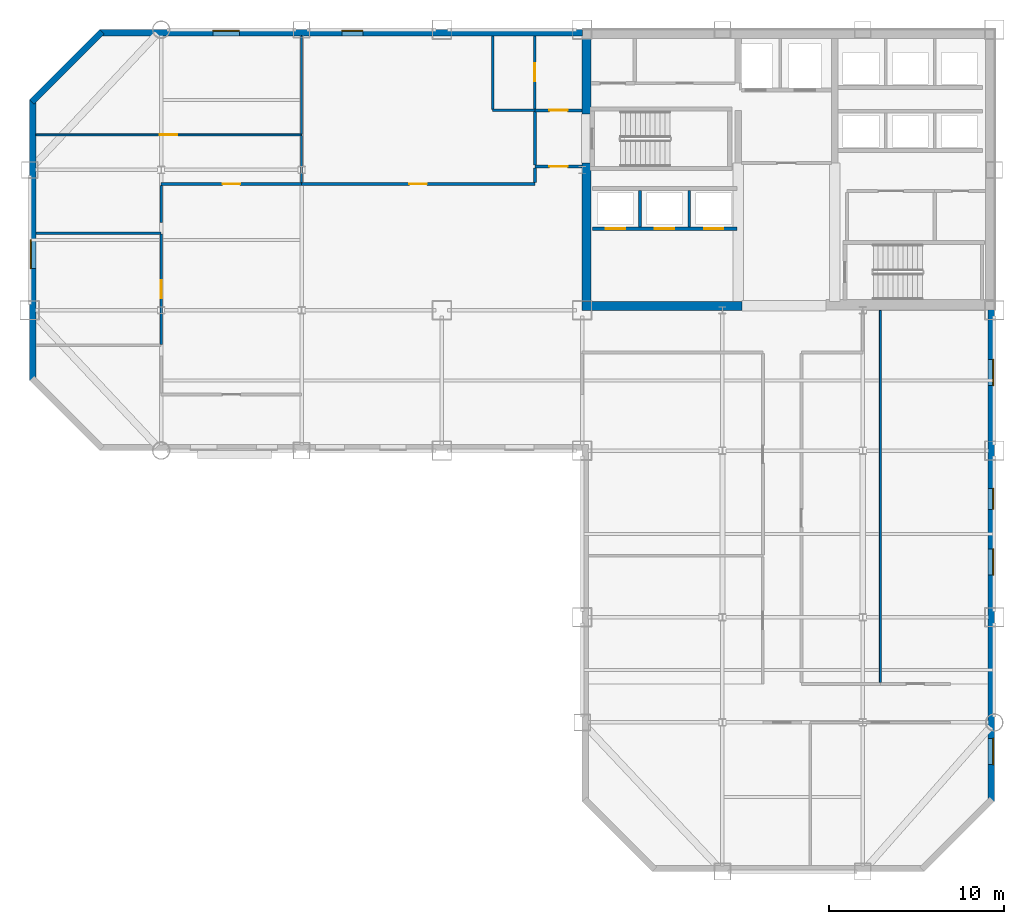
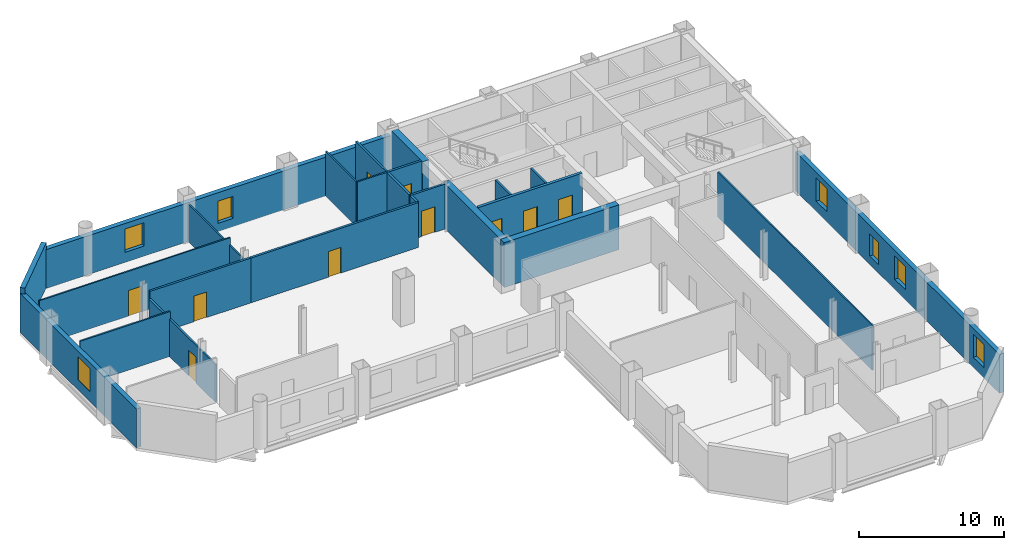
# One storey, part 6 of 9: 26 walls, 10 doors, 7 windows, 17 openings.
"""IFC4 building model written with IfcOpenShell, lengths in metres."""

from ifc_helpers import new_model, si_unit, direction, frame, frame_2d, origin, place, context, subcontext, project, spatial, rectangle, extrude, material, layer, layer_set, type_object, element, fill, save


model = new_model("IFC4")

# Units and contexts
model_context = context("Model", 3, precision=1e-05, world=origin(), true_north=direction((0.0, 1.0)))
body_context = subcontext(model_context, "Body", "Model", "MODEL_VIEW")
ifc_project = project(units=[si_unit("LENGTHUNIT", "METRE"), si_unit("AREAUNIT", "SQUARE_METRE"), si_unit("VOLUMEUNIT", "CUBIC_METRE"), si_unit("PLANEANGLEUNIT", "RADIAN"), si_unit("MASSUNIT", "GRAM", prefix="KILO")], contexts=[model_context])

# Site, building, storey
site_placement = place(None, origin())
site = spatial("IfcSite", under=ifc_project, at=site_placement, CompositionType="ELEMENT")
building_placement = place(site_placement, origin())
building = spatial("IfcBuilding", under=site, at=building_placement, Name="Qianrong Seaharbour Tower", CompositionType="ELEMENT")
storey_placement = place(building_placement, frame((0.0, 0.0, 163.0)))
storey = spatial("IfcBuildingStorey", under=building, at=storey_placement, Name="L39", CompositionType="ELEMENT", Elevation=163.0)

# Walls
ifc_material_1 = material(Name="Concrete C60/75", Category="concrete")
ifc_layer_1 = layer(ifc_material_1, 0.5)
ifc_layer_set_1 = layer_set([ifc_layer_1], Name="Concrete C60/75")
wall_type_1 = type_object("IfcWallType", Name="WALL-CORE-500", PredefinedType="SHEAR", material=ifc_layer_set_1)
wall_1_placement = place(storey_placement, frame((40.75, 36.5, 0.0), z_axis=(0.0, 0.0, 1.0), x_axis=(0.0, 1.0, 0.0)))
element("IfcWall", 1, at=wall_1_placement, inside=storey, type_object=wall_type_1, Name="L39 West Core Shear Wall South", PredefinedType="SHEAR", context=body_context, shape_type="SweptSolid", body=[
    extrude(rectangle(XDim=7.89990234375, YDim=0.5, at=frame_2d((3.949951171875, 0.0))), origin(), (0.0, 0.0, 1.0), 3.764892578125),
])
wall_2_placement = place(storey_placement, frame((40.75, 47.199951171875, 0.0), z_axis=(0.0, 0.0, 1.0), x_axis=(0.0, 1.0, 0.0)))
element("IfcWall", 2, at=wall_2_placement, inside=storey, type_object=wall_type_1, Name="L39 West Core Shear Wall North", PredefinedType="SHEAR", context=body_context, shape_type="SweptSolid", body=[
    extrude(rectangle(XDim=4.300048828125, YDim=0.5, at=frame_2d((2.14990234375, 0.0))), origin(), (0.0, 0.0, 1.0), 3.764892578125),
])
wall_3_placement = place(storey_placement, frame((40.5, 36.25, 0.0), z_axis=(0.0, 0.0, 1.0), x_axis=(1.0, 0.0, 0.0)))
element("IfcWall", 3, at=wall_3_placement, inside=storey, type_object=wall_type_1, Name="L39 South Core Shear Wall S1", PredefinedType="SHEAR", context=body_context, shape_type="SweptSolid", body=[
    extrude(rectangle(XDim=9.10009765625, YDim=0.5, at=frame_2d((4.550048828125, 0.0))), origin(), (0.0, 0.0, 1.0), 3.764892578125),
])

# Wall, opening, door
ifc_material_2 = material(Name="Fire-rated acoustic gypsum board partition")
ifc_layer_2 = layer(ifc_material_2, 0.1650390625)
ifc_layer_set_2 = layer_set([ifc_layer_2], Name="Fire-rated acoustic gypsum board partition")
wall_type_2 = type_object("IfcWallType", Name="WALL-CORR-PART-165", PredefinedType="PARTITIONING", material=ifc_layer_set_2)
wall_4_placement = place(storey_placement, frame((37.800048828125, 47.39990234375, 0.0), z_axis=(0.0, 0.0, 1.0), x_axis=(1.0, 0.0, 0.0)))
wall_4 = element("IfcWall", 4, at=wall_4_placement, inside=storey, type_object=wall_type_2, Name="L39 Interior Partition Wall 001", PredefinedType="PARTITIONING", context=body_context, shape_type="SweptSolid", body=[
    extrude(rectangle(XDim=2.699951171875, YDim=0.1650390625, at=frame_2d((1.35009765625, 0.0))), origin(), (0.0, 0.0, 1.0), 3.764892578125),
])
opening_1_placement = place(wall_4_placement, frame((0.824951171875, 0.0, 0.0)))
opening_1 = element("IfcOpeningElement", 5, at=opening_1_placement, cuts=wall_4, Name="Opening DC-01", PredefinedType="OPENING", context=body_context, shape_type="SweptSolid", body=[
    extrude(rectangle(XDim=1.050048828125, YDim=2.14990234375, at=frame_2d((0.52490234375, 1.074951171875))), frame((0.0, 0.092529296875, 0.0), z_axis=(0.0, -1.0, 0.0), x_axis=(1.0, 0.0, 0.0)), (0.0, 0.0, 1.0), 0.18505859375),
])
ifc_material_3 = material(Name="Acoustic timber and galvanized steel fire door assembly", Category="steel")
door_type_1 = type_object("IfcDoorType", Name="DOOR-CORR-FD60-1050x2150", OperationType="NOTDEFINED", PredefinedType="DOOR", material=ifc_material_3)
door_1_placement = place(opening_1_placement, origin())
door_1 = element("IfcDoor", 6, at=door_1_placement, inside=storey, type_object=door_type_1, Name="L39 Smokeproof Stair Vestibule ST-1 Door", OperationType="SINGLE_SWING_LEFT", OverallHeight=2.14990234375, OverallWidth=1.050048828125, PredefinedType="DOOR", context=body_context, shape_type="SweptSolid", body=[
    extrude(rectangle(XDim=1.050048828125, YDim=2.14990234375, at=frame_2d((0.52490234375, 1.074951171875))), frame((0.0, 0.02490234375, 0.0), z_axis=(0.0, -1.0, 0.0), x_axis=(1.0, 0.0, 0.0)), (0.0, 0.0, 1.0), 0.050048828125),
])
fill(opening_1, door_1)

wall_5_placement = place(storey_placement, frame((40.5, 44.199951171875, 0.0), z_axis=(0.0, 0.0, 1.0), x_axis=(-1.0, 0.0, 0.0)))
wall_5 = element("IfcWall", 7, at=wall_5_placement, inside=storey, type_object=wall_type_2, Name="L39 Interior Partition Wall 002", PredefinedType="PARTITIONING", context=body_context, shape_type="SweptSolid", body=[
    extrude(rectangle(XDim=2.699951171875, YDim=0.1650390625, at=frame_2d((1.35009765625, 0.0))), origin(), (0.0, 0.0, 1.0), 3.764892578125),
])
opening_2_placement = place(wall_5_placement, frame((0.824951171875, 0.0, 0.0)))
opening_2 = element("IfcOpeningElement", 8, at=opening_2_placement, cuts=wall_5, Name="Opening DC-01", PredefinedType="OPENING", context=body_context, shape_type="SweptSolid", body=[
    extrude(rectangle(XDim=1.050048828125, YDim=2.14990234375, at=frame_2d((0.52490234375, 1.074951171875))), frame((0.0, 0.092529296875, 0.0), z_axis=(0.0, -1.0, 0.0), x_axis=(1.0, 0.0, 0.0)), (0.0, 0.0, 1.0), 0.18505859375),
])
door_2_placement = place(opening_2_placement, origin())
door_2 = element("IfcDoor", 9, at=door_2_placement, inside=storey, type_object=door_type_1, Name="L39 Smokeproof Stair Vestibule ST-1 Door", OperationType="SINGLE_SWING_RIGHT", OverallHeight=2.14990234375, OverallWidth=1.050048828125, PredefinedType="DOOR", context=body_context, shape_type="SweptSolid", body=[
    extrude(rectangle(XDim=1.050048828125, YDim=2.14990234375, at=frame_2d((0.52490234375, 1.074951171875))), frame((0.0, 0.02490234375, 0.0), z_axis=(0.0, -1.0, 0.0), x_axis=(1.0, 0.0, 0.0)), (0.0, 0.0, 1.0), 0.050048828125),
])
fill(opening_2, door_2)

# Wall
wall_6_placement = place(storey_placement, frame((37.800048828125, 44.2744140625, 0.0), z_axis=(0.0, 0.0, 1.0), x_axis=(0.0, 1.0, 0.0)))
element("IfcWall", 10, at=wall_6_placement, inside=storey, type_object=wall_type_2, Name="L39 Interior Partition Wall 003", PredefinedType="PARTITIONING", context=body_context, shape_type="SweptSolid", body=[
    extrude(rectangle(XDim=3.051025390625, YDim=0.1650390625, at=frame_2d((1.525390625, 0.0))), origin(), (0.0, 0.0, 1.0), 3.764892578125),
])

# Wall, opening, door
wall_7_placement = place(storey_placement, frame((24.5, 43.199951171875, 0.0), z_axis=(0.0, 0.0, 1.0), x_axis=(1.0, 0.0, 0.0)))
wall_7 = element("IfcWall", 11, at=wall_7_placement, inside=storey, type_object=wall_type_2, Name="L39 Interior Partition Wall 017", PredefinedType="PARTITIONING", context=body_context, shape_type="SweptSolid", body=[
    extrude(rectangle(XDim=13.300048828125, YDim=0.1650390625, at=frame_2d((6.64990234375, 0.0))), origin(), (0.0, 0.0, 1.0), 3.764892578125),
])
opening_3_placement = place(wall_7_placement, frame((6.14990234375, 0.0, 0.0)))
opening_3 = element("IfcOpeningElement", 12, at=opening_3_placement, cuts=wall_7, Name="Opening DO-01", PredefinedType="OPENING", context=body_context, shape_type="SweptSolid", body=[
    extrude(rectangle(XDim=1.0, YDim=2.14990234375, at=frame_2d((0.5, 1.074951171875))), frame((0.0, 0.092529296875, 0.0), z_axis=(0.0, -1.0, 0.0), x_axis=(1.0, 0.0, 0.0)), (0.0, 0.0, 1.0), 0.18505859375),
])
door_type_2 = type_object("IfcDoorType", Name="DOOR-OFFICE-1000x2150", OperationType="NOTDEFINED", PredefinedType="DOOR", material=ifc_material_3)
door_3_placement = place(opening_3_placement, origin())
door_3 = element("IfcDoor", 13, at=door_3_placement, inside=storey, type_object=door_type_2, Name="L39 Central Spine Open-Plan Office Door", OperationType="SINGLE_SWING_LEFT", OverallHeight=2.14990234375, OverallWidth=1.0, PredefinedType="DOOR", context=body_context, shape_type="SweptSolid", body=[
    extrude(rectangle(XDim=1.0, YDim=2.14990234375, at=frame_2d((0.5, 1.074951171875))), frame((0.0, 0.02490234375, 0.0), z_axis=(0.0, -1.0, 0.0), x_axis=(1.0, 0.0, 0.0)), (0.0, 0.0, 1.0), 0.050048828125),
])
fill(opening_3, door_3)

# Wall
wall_8_placement = place(storey_placement, frame((16.5, 41.0, 0.0), z_axis=(0.0, 0.0, 1.0), x_axis=(0.0, 1.0, 0.0)))
element("IfcWall", 14, at=wall_8_placement, inside=storey, type_object=wall_type_2, Name="L39 Interior Partition Wall 018", PredefinedType="PARTITIONING", context=body_context, shape_type="SweptSolid", body=[
    extrude(rectangle(XDim=2.12548828125, YDim=0.1650390625, at=frame_2d((1.062744140625, 0.0))), origin(), (0.0, 0.0, 1.0), 3.156982421875),
])

# Wall, opening, door
wall_9_placement = place(storey_placement, frame((16.5, 43.199951171875, 0.0), z_axis=(0.0, 0.0, 1.0), x_axis=(1.0, 0.0, 0.0)))
wall_9 = element("IfcWall", 15, at=wall_9_placement, inside=storey, type_object=wall_type_2, Name="L39 Interior Partition Wall 019", PredefinedType="PARTITIONING", context=body_context, shape_type="SweptSolid", body=[
    extrude(rectangle(XDim=8.0, YDim=0.1650390625, at=frame_2d((4.0, 0.0))), origin(), (0.0, 0.0, 1.0), 3.764892578125),
])
opening_4_placement = place(wall_9_placement, frame((3.5, 0.0, 0.0)))
opening_4 = element("IfcOpeningElement", 16, at=opening_4_placement, cuts=wall_9, Name="Opening DO-01", PredefinedType="OPENING", context=body_context, shape_type="SweptSolid", body=[
    extrude(rectangle(XDim=1.0, YDim=2.14990234375, at=frame_2d((0.5, 1.074951171875))), frame((0.0, 0.092529296875, 0.0), z_axis=(0.0, -1.0, 0.0), x_axis=(1.0, 0.0, 0.0)), (0.0, 0.0, 1.0), 0.18505859375),
])
door_4_placement = place(opening_4_placement, origin())
door_4 = element("IfcDoor", 17, at=door_4_placement, inside=storey, type_object=door_type_2, Name="L39 Hospitality Dining Room 3 Door", OperationType="SINGLE_SWING_RIGHT", OverallHeight=2.14990234375, OverallWidth=1.0, PredefinedType="DOOR", context=body_context, shape_type="SweptSolid", body=[
    extrude(rectangle(XDim=1.0, YDim=2.14990234375, at=frame_2d((0.5, 1.074951171875))), frame((0.0, 0.02490234375, 0.0), z_axis=(0.0, -1.0, 0.0), x_axis=(1.0, 0.0, 0.0)), (0.0, 0.0, 1.0), 0.050048828125),
])
fill(opening_4, door_4)

# Walls
wall_10_placement = place(storey_placement, frame((37.800048828125, 43.2744140625, 0.0), z_axis=(0.0, 0.0, 1.0), x_axis=(0.0, 1.0, 0.0)))
element("IfcWall", 18, at=wall_10_placement, inside=storey, type_object=wall_type_2, Name="L39 Interior Partition Wall 021", PredefinedType="PARTITIONING", context=body_context, shape_type="SweptSolid", body=[
    extrude(rectangle(XDim=0.85107421875, YDim=0.1650390625, at=frame_2d((0.425537109375, 0.0))), origin(), (0.0, 0.0, 1.0), 3.764892578125),
])
ifc_material_4 = material(Name="Demountable aluminium-framed acoustic office partition", Category="aluminium")
ifc_layer_3 = layer(ifc_material_4, 0.110107421875)
ifc_layer_set_3 = layer_set([ifc_layer_3], Name="Demountable aluminium-framed acoustic office partition")
wall_type_3 = type_object("IfcWallType", Name="WALL-DEMOUNT-110", PredefinedType="MOVABLE", material=ifc_layer_set_3)
wall_11_placement = place(storey_placement, frame((24.5, 43.2744140625, 0.0), z_axis=(0.0, 0.0, 1.0), x_axis=(0.0, 1.0, 0.0)))
element("IfcWall", 19, at=wall_11_placement, inside=storey, type_object=wall_type_3, Name="L39 Interior Partition Wall 033", PredefinedType="MOVABLE", context=body_context, shape_type="SweptSolid", body=[
    extrude(rectangle(XDim=2.678466796875, YDim=0.110107421875, at=frame_2d((1.33935546875, 0.0))), origin(), (0.0, 0.0, 1.0), 3.156982421875),
])
wall_12_placement = place(storey_placement, frame((24.5, 46.047119140625, 0.0), z_axis=(0.0, 0.0, 1.0), x_axis=(0.0, 1.0, 0.0)))
element("IfcWall", 20, at=wall_12_placement, inside=storey, type_object=wall_type_3, Name="L39 Interior Partition Wall 034", PredefinedType="MOVABLE", context=body_context, shape_type="SweptSolid", body=[
    extrude(rectangle(XDim=5.600830078125, YDim=0.110107421875, at=frame_2d((2.80029296875, 0.0))), origin(), (0.0, 0.0, 1.0), 3.156982421875),
])

# Wall, opening, door
wall_13_placement = place(storey_placement, frame((9.35205078125, 46.0, 0.0), z_axis=(0.0, 0.0, 1.0), x_axis=(1.0, 0.0, 0.0)))
wall_13 = element("IfcWall", 21, at=wall_13_placement, inside=storey, type_object=wall_type_3, Name="L39 Interior Partition Wall 037", PredefinedType="MOVABLE", context=body_context, shape_type="SweptSolid", body=[
    extrude(rectangle(XDim=15.14794921875, YDim=0.110107421875, at=frame_2d((7.573974609375, 0.0))), origin(), (0.0, 0.0, 1.0), 3.764892578125),
])
opening_5_placement = place(wall_13_placement, frame((7.073974609375, 0.0, 0.0)))
opening_5 = element("IfcOpeningElement", 22, at=opening_5_placement, cuts=wall_13, Name="Opening DO-01", PredefinedType="OPENING", context=body_context, shape_type="SweptSolid", body=[
    extrude(rectangle(XDim=1.0, YDim=2.14990234375, at=frame_2d((0.5, 1.074951171875))), frame((0.0, 0.06494140625, 0.0), z_axis=(0.0, -1.0, 0.0), x_axis=(1.0, 0.0, 0.0)), (0.0, 0.0, 1.0), 0.130126953125),
])
door_5_placement = place(opening_5_placement, origin())
door_5 = element("IfcDoor", 23, at=door_5_placement, inside=storey, type_object=door_type_2, Name="L39 Quiet Sitting Lounge 4 Door", OperationType="SINGLE_SWING_LEFT", OverallHeight=2.14990234375, OverallWidth=1.0, PredefinedType="DOOR", context=body_context, shape_type="SweptSolid", body=[
    extrude(rectangle(XDim=1.0, YDim=2.14990234375, at=frame_2d((0.5, 1.074951171875))), frame((0.0, 0.02490234375, 0.0), z_axis=(0.0, -1.0, 0.0), x_axis=(1.0, 0.0, 0.0)), (0.0, 0.0, 1.0), 0.050048828125),
])
fill(opening_5, door_5)

# Wall
wall_14_placement = place(storey_placement, frame((57.5, 36.0, 0.0), z_axis=(0.0, 0.0, 1.0), x_axis=(0.0, -1.0, 0.0)))
element("IfcWall", 24, at=wall_14_placement, inside=storey, type_object=wall_type_3, Name="L39 Interior Partition Wall 038", PredefinedType="MOVABLE", context=body_context, shape_type="SweptSolid", body=[
    extrude(rectangle(XDim=21.2255859375, YDim=0.110107421875, at=frame_2d((10.61279296875, 0.0))), origin(), (0.0, 0.0, 1.0), 3.764892578125),
])

# Wall, opening, window
ifc_material_5 = material(Name="Unitised red brick on Precast concrete C45/55", Category="masonry")
ifc_layer_4 = layer(ifc_material_5, 0.360107421875)
ifc_layer_set_4 = layer_set([ifc_layer_4], Name="Unitised red brick on Precast concrete C45/55")
wall_type_4 = type_object("IfcWallType", Name="WALL-EXT-BRICK-RED-360", PredefinedType="SOLIDWALL", material=ifc_layer_set_4)
wall_15_placement = place(storey_placement, frame((9.179931640625, 32.0, 0.0), z_axis=(0.0, 0.0, 1.0), x_axis=(0.0, 1.0, 0.0)))
wall_15 = element("IfcWall", 25, at=wall_15_placement, inside=storey, type_object=wall_type_4, Name="L39 Exterior Masonry Facade Wall WEST_TIP", PredefinedType="SOLIDWALL", context=body_context, shape_type="SweptSolid", body=[
    extrude(rectangle(XDim=16.0, YDim=0.360107421875, at=frame_2d((8.0, 0.0))), origin(), (0.0, 0.0, 1.0), 3.264892578125),
])
opening_6_placement = place(wall_15_placement, frame((6.375, 0.0, 0.85009765625)))
opening_6 = element("IfcOpeningElement", 26, at=opening_6_placement, cuts=wall_15, Name="Opening WN-04", PredefinedType="OPENING", context=body_context, shape_type="SweptSolid", body=[
    extrude(rectangle(XDim=1.64990234375, YDim=1.949951171875, at=frame_2d((0.824951171875, 0.97509765625))), frame((0.0, 0.18994140625, 0.0), z_axis=(0.0, -1.0, 0.0), x_axis=(1.0, 0.0, 0.0)), (0.0, 0.0, 1.0), 0.380126953125),
])
ifc_material_6 = material(Name="Insulated low-e double glazing in thermally broken aluminium 6063-T6 frame", Category="aluminium")
window_type_1 = type_object("IfcWindowType", Name="WIN-PUNCH-1650x1950", PartitioningType="DOUBLE_PANEL_VERTICAL", PredefinedType="WINDOW", material=ifc_material_6)
window_1_placement = place(opening_6_placement, origin())
window_1 = element("IfcWindow", 27, at=window_1_placement, inside=storey, type_object=window_type_1, Name="L39 Deep-Set Punched Window 03.02", OverallHeight=1.949951171875, OverallWidth=1.64990234375, PartitioningType="DOUBLE_PANEL_VERTICAL", PredefinedType="WINDOW", context=body_context, shape_type="SweptSolid", body=[
    extrude(rectangle(XDim=1.64990234375, YDim=1.949951171875, at=frame_2d((0.824951171875, 0.97509765625))), frame((0.0, 0.150146484375, 0.0), z_axis=(0.0, -1.0, 0.0), x_axis=(1.0, 0.0, 0.0)), (0.0, 0.0, 1.0), 0.06005859375),
])
fill(opening_6, window_1)

# Wall
wall_16_placement = place(storey_placement, frame((9.127197265625, 47.872802734375, 0.0), z_axis=(0.0, 0.0, 1.0), x_axis=(0.707106781187, 0.707106781187, 0.0)))
element("IfcWall", 28, at=wall_16_placement, inside=storey, type_object=wall_type_4, Name="L39 Exterior Masonry Facade Wall E04", PredefinedType="SOLIDWALL", context=body_context, shape_type="SweptSolid", body=[
    extrude(rectangle(XDim=5.65673828125, YDim=0.360107421875, at=frame_2d((2.828369140625, 0.0))), origin(), (0.0, 0.0, 1.0), 3.764892578125),
])

# Wall, openings, windows
wall_17_placement = place(storey_placement, frame((13.0, 51.820068359375, 0.0), z_axis=(0.0, 0.0, 1.0), x_axis=(1.0, 0.0, 0.0)))
wall_17 = element("IfcWall", 29, at=wall_17_placement, inside=storey, type_object=wall_type_4, Name="L39 Exterior Masonry Facade Wall NORTH_WING", PredefinedType="SOLIDWALL", context=body_context, shape_type="SweptSolid", body=[
    extrude(rectangle(XDim=27.52001953125, YDim=0.360107421875, at=frame_2d((13.760009765625, 0.0))), origin(), (0.0, 0.0, 1.0), 3.264892578125),
])
opening_7_placement = place(wall_17_placement, frame((6.449951171875, 0.0, 0.85009765625)))
opening_7 = element("IfcOpeningElement", 30, at=opening_7_placement, cuts=wall_17, Name="Opening WN-03", PredefinedType="OPENING", context=body_context, shape_type="SweptSolid", body=[
    extrude(rectangle(XDim=1.5, YDim=1.949951171875, at=frame_2d((0.75, 0.97509765625))), frame((0.0, 0.18994140625, 0.0), z_axis=(0.0, -1.0, 0.0), x_axis=(1.0, 0.0, 0.0)), (0.0, 0.0, 1.0), 0.380126953125),
])
opening_8_placement = place(wall_17_placement, frame((13.800048828125, 0.0, 0.699951171875)))
opening_8 = element("IfcOpeningElement", 31, at=opening_8_placement, cuts=wall_17, Name="Opening WN-01", PredefinedType="OPENING", context=body_context, shape_type="SweptSolid", body=[
    extrude(rectangle(XDim=1.199951171875, YDim=1.85009765625, at=frame_2d((0.60009765625, 0.925048828125))), frame((0.0, 0.18994140625, 0.0), z_axis=(0.0, -1.0, 0.0), x_axis=(1.0, 0.0, 0.0)), (0.0, 0.0, 1.0), 0.380126953125),
])
window_type_2 = type_object("IfcWindowType", Name="WIN-PUNCH-1200x1850", PartitioningType="DOUBLE_PANEL_VERTICAL", PredefinedType="WINDOW", material=ifc_material_6)
window_2_placement = place(opening_8_placement, origin())
window_2 = element("IfcWindow", 32, at=window_2_placement, inside=storey, type_object=window_type_2, Name="L39 Deep-Set Punched Window 05.04", OverallHeight=1.85009765625, OverallWidth=1.199951171875, PartitioningType="DOUBLE_PANEL_VERTICAL", PredefinedType="WINDOW", context=body_context, shape_type="SweptSolid", body=[
    extrude(rectangle(XDim=1.199951171875, YDim=1.85009765625, at=frame_2d((0.60009765625, 0.925048828125))), frame((0.0, 0.150146484375, 0.0), z_axis=(0.0, -1.0, 0.0), x_axis=(1.0, 0.0, 0.0)), (0.0, 0.0, 1.0), 0.06005859375),
])
fill(opening_8, window_2)
window_type_3 = type_object("IfcWindowType", Name="WIN-PUNCH-1500x1950", PartitioningType="DOUBLE_PANEL_VERTICAL", PredefinedType="WINDOW", material=ifc_material_6)
window_3_placement = place(opening_7_placement, origin())
window_3 = element("IfcWindow", 33, at=window_3_placement, inside=storey, type_object=window_type_3, Name="L39 Deep-Set Punched Window 05.02", OverallHeight=1.949951171875, OverallWidth=1.5, PartitioningType="DOUBLE_PANEL_VERTICAL", PredefinedType="WINDOW", context=body_context, shape_type="SweptSolid", body=[
    extrude(rectangle(XDim=1.5, YDim=1.949951171875, at=frame_2d((0.75, 0.97509765625))), frame((0.0, 0.150146484375, 0.0), z_axis=(0.0, -1.0, 0.0), x_axis=(1.0, 0.0, 0.0)), (0.0, 0.0, 1.0), 0.06005859375),
])
fill(opening_7, window_3)

wall_18_placement = place(storey_placement, frame((63.820068359375, 36.050048828125, 0.0), z_axis=(0.0, 0.0, 1.0), x_axis=(0.0, -1.0, 0.0)))
wall_18 = element("IfcWall", 34, at=wall_18_placement, inside=storey, type_object=wall_type_4, Name="L39 Exterior Masonry Facade Wall EAST_WING", PredefinedType="SOLIDWALL", context=body_context, shape_type="SweptSolid", body=[
    extrude(rectangle(XDim=28.050048828125, YDim=0.360107421875, at=frame_2d((14.02490234375, 0.0))), origin(), (0.0, 0.0, 1.0), 3.264892578125),
])
opening_9_placement = place(wall_18_placement, frame((2.85009765625, 0.0, 0.85009765625)))
opening_9 = element("IfcOpeningElement", 35, at=opening_9_placement, cuts=wall_18, Name="Opening WN-03", PredefinedType="OPENING", context=body_context, shape_type="SweptSolid", body=[
    extrude(rectangle(XDim=1.5, YDim=1.949951171875, at=frame_2d((0.75, 0.97509765625))), frame((0.0, 0.18994140625, 0.0), z_axis=(0.0, -1.0, 0.0), x_axis=(1.0, 0.0, 0.0)), (0.0, 0.0, 1.0), 0.380126953125),
])
opening_10_placement = place(wall_18_placement, frame((10.199951171875, 0.0, 0.699951171875)))
opening_10 = element("IfcOpeningElement", 36, at=opening_10_placement, cuts=wall_18, Name="Opening WN-01", PredefinedType="OPENING", context=body_context, shape_type="SweptSolid", body=[
    extrude(rectangle(XDim=1.199951171875, YDim=1.85009765625, at=frame_2d((0.60009765625, 0.925048828125))), frame((0.0, 0.18994140625, 0.0), z_axis=(0.0, -1.0, 0.0), x_axis=(1.0, 0.0, 0.0)), (0.0, 0.0, 1.0), 0.380126953125),
])
opening_11_placement = place(wall_18_placement, frame((13.64990234375, 0.0, 0.85009765625)))
opening_11 = element("IfcOpeningElement", 37, at=opening_11_placement, cuts=wall_18, Name="Opening WN-03", PredefinedType="OPENING", context=body_context, shape_type="SweptSolid", body=[
    extrude(rectangle(XDim=1.5, YDim=1.949951171875, at=frame_2d((0.75, 0.97509765625))), frame((0.0, 0.18994140625, 0.0), z_axis=(0.0, -1.0, 0.0), x_axis=(1.0, 0.0, 0.0)), (0.0, 0.0, 1.0), 0.380126953125),
])
opening_12_placement = place(wall_18_placement, frame((24.449951171875, 0.0, 0.85009765625)))
opening_12 = element("IfcOpeningElement", 38, at=opening_12_placement, cuts=wall_18, Name="Opening WN-03", PredefinedType="OPENING", context=body_context, shape_type="SweptSolid", body=[
    extrude(rectangle(XDim=1.5, YDim=1.949951171875, at=frame_2d((0.75, 0.97509765625))), frame((0.0, 0.18994140625, 0.0), z_axis=(0.0, -1.0, 0.0), x_axis=(1.0, 0.0, 0.0)), (0.0, 0.0, 1.0), 0.380126953125),
])
window_4_placement = place(opening_10_placement, origin())
window_4 = element("IfcWindow", 39, at=window_4_placement, inside=storey, type_object=window_type_2, Name="L39 Deep-Set Punched Window 06.03", OverallHeight=1.85009765625, OverallWidth=1.199951171875, PartitioningType="DOUBLE_PANEL_VERTICAL", PredefinedType="WINDOW", context=body_context, shape_type="SweptSolid", body=[
    extrude(rectangle(XDim=1.199951171875, YDim=1.85009765625, at=frame_2d((0.60009765625, 0.925048828125))), frame((0.0, 0.150146484375, 0.0), z_axis=(0.0, -1.0, 0.0), x_axis=(1.0, 0.0, 0.0)), (0.0, 0.0, 1.0), 0.06005859375),
])
fill(opening_10, window_4)
window_5_placement = place(opening_9_placement, origin())
window_5 = element("IfcWindow", 40, at=window_5_placement, inside=storey, type_object=window_type_3, Name="L39 Deep-Set Punched Window 06.01", OverallHeight=1.949951171875, OverallWidth=1.5, PartitioningType="DOUBLE_PANEL_VERTICAL", PredefinedType="WINDOW", context=body_context, shape_type="SweptSolid", body=[
    extrude(rectangle(XDim=1.5, YDim=1.949951171875, at=frame_2d((0.75, 0.97509765625))), frame((0.0, 0.150146484375, 0.0), z_axis=(0.0, -1.0, 0.0), x_axis=(1.0, 0.0, 0.0)), (0.0, 0.0, 1.0), 0.06005859375),
])
fill(opening_9, window_5)
window_6_placement = place(opening_11_placement, origin())
window_6 = element("IfcWindow", 41, at=window_6_placement, inside=storey, type_object=window_type_3, Name="L39 Deep-Set Punched Window 06.04", OverallHeight=1.949951171875, OverallWidth=1.5, PartitioningType="DOUBLE_PANEL_VERTICAL", PredefinedType="WINDOW", context=body_context, shape_type="SweptSolid", body=[
    extrude(rectangle(XDim=1.5, YDim=1.949951171875, at=frame_2d((0.75, 0.97509765625))), frame((0.0, 0.150146484375, 0.0), z_axis=(0.0, -1.0, 0.0), x_axis=(1.0, 0.0, 0.0)), (0.0, 0.0, 1.0), 0.06005859375),
])
fill(opening_11, window_6)
window_7_placement = place(opening_12_placement, origin())
window_7 = element("IfcWindow", 42, at=window_7_placement, inside=storey, type_object=window_type_3, Name="L39 Deep-Set Punched Window 06.07", OverallHeight=1.949951171875, OverallWidth=1.5, PartitioningType="DOUBLE_PANEL_VERTICAL", PredefinedType="WINDOW", context=body_context, shape_type="SweptSolid", body=[
    extrude(rectangle(XDim=1.5, YDim=1.949951171875, at=frame_2d((0.75, 0.97509765625))), frame((0.0, 0.150146484375, 0.0), z_axis=(0.0, -1.0, 0.0), x_axis=(1.0, 0.0, 0.0)), (0.0, 0.0, 1.0), 0.06005859375),
])
fill(opening_12, window_7)

# Walls
ifc_material_7 = material(Name="Fire-rated gypsum board on steel studs", Category="steel")
ifc_layer_5 = layer(ifc_material_7, 0.14990234375)
ifc_layer_set_5 = layer_set([ifc_layer_5], Name="Fire-rated gypsum board on steel studs")
wall_type_5 = type_object("IfcWallType", Name="WALL-SHAFT-DIV-150", PredefinedType="PARTITIONING", material=ifc_layer_set_5)
for number, where, z_axis, x_axis, name in (
    (43, (43.800048828125, 40.760009765625, 0.0), (0.0, 0.0, 1.0), (0.0, 1.0, 0.0), "L39 P2 Lift Hoistway Divider 2"),
    (44, (46.60009765625, 40.760009765625, 0.0), (0.0, 0.0, 1.0), (0.0, 1.0, 0.0), "L39 P2 Lift Hoistway Divider 3"),
):
    element("IfcWall", number, at=place(storey_placement, frame(where, z_axis=z_axis, x_axis=x_axis)), inside=storey, type_object=wall_type_5, Name=name, PredefinedType="PARTITIONING", context=body_context, shape_type="SweptSolid", body=[
        extrude(rectangle(XDim=2.080078125, YDim=0.14990234375, at=frame_2d((1.0400390625, 0.0))), origin(), (0.0, 0.0, 1.0), 3.764892578125),
    ])

# Wall, openings, doors
ifc_layer_6 = layer(ifc_material_7, 0.219970703125)
ifc_layer_set_6 = layer_set([ifc_layer_6], Name="Fire-rated gypsum board on steel studs")
wall_type_6 = type_object("IfcWallType", Name="WALL-SHAFT-GYP220", PredefinedType="PARTITIONING", material=ifc_layer_set_6)
wall_19_placement = place(storey_placement, frame((49.320068359375, 40.64990234375, 0.0), z_axis=(0.0, 0.0, 1.0), x_axis=(-1.0, 0.0, 0.0)))
wall_19 = element("IfcWall", 45, at=wall_19_placement, inside=storey, type_object=wall_type_6, Name="L39 P2 Lift Hoistway Front Wall", PredefinedType="PARTITIONING", context=body_context, shape_type="SweptSolid", body=[
    extrude(rectangle(XDim=8.239990234375, YDim=0.219970703125, at=frame_2d((4.1201171875, 0.0))), origin(), (0.0, 0.0, 1.0), 3.764892578125),
])
opening_13_placement = place(wall_19_placement, frame((6.3701171875, 0.0, 0.0)))
opening_13 = element("IfcOpeningElement", 46, at=opening_13_placement, cuts=wall_19, Name="Opening LD-02", PredefinedType="OPENING", context=body_context, shape_type="SweptSolid", body=[
    extrude(rectangle(XDim=1.10009765625, YDim=2.199951171875, at=frame_2d((0.550048828125, 1.10009765625))), frame((0.0, 0.1201171875, 0.0), z_axis=(0.0, -1.0, 0.0), x_axis=(1.0, 0.0, 0.0)), (0.0, 0.0, 1.0), 0.239990234375),
])
opening_14_placement = place(wall_19_placement, frame((3.570068359375, 0.0, 0.0)))
opening_14 = element("IfcOpeningElement", 47, at=opening_14_placement, cuts=wall_19, Name="Opening LD-02", PredefinedType="OPENING", context=body_context, shape_type="SweptSolid", body=[
    extrude(rectangle(XDim=1.10009765625, YDim=2.199951171875, at=frame_2d((0.550048828125, 1.10009765625))), frame((0.0, 0.1201171875, 0.0), z_axis=(0.0, -1.0, 0.0), x_axis=(1.0, 0.0, 0.0)), (0.0, 0.0, 1.0), 0.239990234375),
])
opening_15_placement = place(wall_19_placement, frame((0.77001953125, 0.0, 0.0)))
opening_15 = element("IfcOpeningElement", 48, at=opening_15_placement, cuts=wall_19, Name="Opening LD-02", PredefinedType="OPENING", context=body_context, shape_type="SweptSolid", body=[
    extrude(rectangle(XDim=1.10009765625, YDim=2.199951171875, at=frame_2d((0.550048828125, 1.10009765625))), frame((0.0, 0.1201171875, 0.0), z_axis=(0.0, -1.0, 0.0), x_axis=(1.0, 0.0, 0.0)), (0.0, 0.0, 1.0), 0.239990234375),
])
ifc_material_8 = material(Name="Stainless steel SUS316L bi-parting lift landing door", Category="steel")
door_type_3 = type_object("IfcDoorType", Name="DOOR-LIFT-PASS-1100x2200", OperationType="DOUBLE_DOOR_SLIDING", PredefinedType="DOOR", material=ifc_material_8)
door_6_placement = place(opening_13_placement, origin())
door_6 = element("IfcDoor", 49, at=door_6_placement, inside=storey, type_object=door_type_3, Name="L39 PL-2A Lift Landing Door", OperationType="DOUBLE_DOOR_SLIDING", OverallHeight=2.199951171875, OverallWidth=1.10009765625, PredefinedType="DOOR", context=body_context, shape_type="SweptSolid", body=[
    extrude(rectangle(XDim=1.10009765625, YDim=2.199951171875, at=frame_2d((0.550048828125, 1.10009765625))), frame((0.0, 0.02490234375, 0.0), z_axis=(0.0, -1.0, 0.0), x_axis=(1.0, 0.0, 0.0)), (0.0, 0.0, 1.0), 0.050048828125),
])
fill(opening_13, door_6)
door_7_placement = place(opening_14_placement, origin())
door_7 = element("IfcDoor", 50, at=door_7_placement, inside=storey, type_object=door_type_3, Name="L39 PL-2B Lift Landing Door", OperationType="DOUBLE_DOOR_SLIDING", OverallHeight=2.199951171875, OverallWidth=1.10009765625, PredefinedType="DOOR", context=body_context, shape_type="SweptSolid", body=[
    extrude(rectangle(XDim=1.10009765625, YDim=2.199951171875, at=frame_2d((0.550048828125, 1.10009765625))), frame((0.0, 0.02490234375, 0.0), z_axis=(0.0, -1.0, 0.0), x_axis=(1.0, 0.0, 0.0)), (0.0, 0.0, 1.0), 0.050048828125),
])
fill(opening_14, door_7)
door_8_placement = place(opening_15_placement, origin())
door_8 = element("IfcDoor", 51, at=door_8_placement, inside=storey, type_object=door_type_3, Name="L39 PL-2C Lift Landing Door", OperationType="DOUBLE_DOOR_SLIDING", OverallHeight=2.199951171875, OverallWidth=1.10009765625, PredefinedType="DOOR", context=body_context, shape_type="SweptSolid", body=[
    extrude(rectangle(XDim=1.10009765625, YDim=2.199951171875, at=frame_2d((0.550048828125, 1.10009765625))), frame((0.0, 0.02490234375, 0.0), z_axis=(0.0, -1.0, 0.0), x_axis=(1.0, 0.0, 0.0)), (0.0, 0.0, 1.0), 0.050048828125),
])
fill(opening_15, door_8)

# Wall, opening, door
ifc_material_9 = material(Name="Water-resistant cement board sanitary partition")
ifc_layer_7 = layer(ifc_material_9, 0.1298828125)
ifc_layer_set_7 = layer_set([ifc_layer_7], Name="Water-resistant cement board sanitary partition")
wall_type_7 = type_object("IfcWallType", Name="WALL-WET-PART-130", PredefinedType="PARTITIONING", material=ifc_layer_set_7)
wall_20_placement = place(storey_placement, frame((37.800048828125, 47.474609375, 0.0), z_axis=(0.0, 0.0, 1.0), x_axis=(0.0, 1.0, 0.0)))
wall_20 = element("IfcWall", 52, at=wall_20_placement, inside=storey, type_object=wall_type_7, Name="L39 Interior Partition Wall 004", PredefinedType="PARTITIONING", context=body_context, shape_type="SweptSolid", body=[
    extrude(rectangle(XDim=4.17333984375, YDim=0.1298828125, at=frame_2d((2.086669921875, 0.0))), origin(), (0.0, 0.0, 1.0), 3.764892578125),
])
opening_16_placement = place(wall_20_placement, frame((1.57666015625, 0.0, 0.0)))
opening_16 = element("IfcOpeningElement", 53, at=opening_16_placement, cuts=wall_20, Name="Opening DAW-01", PredefinedType="OPENING", context=body_context, shape_type="SweptSolid", body=[
    extrude(rectangle(XDim=1.02001953125, YDim=2.14990234375, at=frame_2d((0.510009765625, 1.074951171875))), frame((0.0, 0.074951171875, 0.0), z_axis=(0.0, -1.0, 0.0), x_axis=(1.0, 0.0, 0.0)), (0.0, 0.0, 1.0), 0.14990234375),
])
door_type_4 = type_object("IfcDoorType", Name="DOOR-AWC-SLIDE-1020x2150", OperationType="SLIDING_TO_LEFT", PredefinedType="DOOR", material=ifc_material_3)
door_9_placement = place(opening_16_placement, origin())
door_9 = element("IfcDoor", 54, at=door_9_placement, inside=storey, type_object=door_type_4, Name="L39 Accessible Restroom WC Door", OperationType="SLIDING_TO_LEFT", OverallHeight=2.14990234375, OverallWidth=1.02001953125, PredefinedType="DOOR", context=body_context, shape_type="SweptSolid", body=[
    extrude(rectangle(XDim=1.02001953125, YDim=2.14990234375, at=frame_2d((0.510009765625, 1.074951171875))), frame((0.0, 0.02490234375, 0.0), z_axis=(0.0, -1.0, 0.0), x_axis=(1.0, 0.0, 0.0)), (0.0, 0.0, 1.0), 0.050048828125),
])
fill(opening_16, door_9)

# Walls
wall_21_placement = place(storey_placement, frame((37.800048828125, 47.39990234375, 0.0), z_axis=(0.0, 0.0, 1.0), x_axis=(-1.0, 0.0, 0.0)))
element("IfcWall", 55, at=wall_21_placement, inside=storey, type_object=wall_type_7, Name="L39 Interior Partition Wall 005", PredefinedType="PARTITIONING", context=body_context, shape_type="SweptSolid", body=[
    extrude(rectangle(XDim=2.400146484375, YDim=0.1298828125, at=frame_2d((1.2001953125, 0.0))), origin(), (0.0, 0.0, 1.0), 3.764892578125),
])
wall_22_placement = place(storey_placement, frame((35.39990234375, 47.45703125, 0.0), z_axis=(0.0, 0.0, 1.0), x_axis=(0.0, 1.0, 0.0)))
element("IfcWall", 56, at=wall_22_placement, inside=storey, type_object=wall_type_7, Name="L39 Interior Partition Wall 006", PredefinedType="PARTITIONING", context=body_context, shape_type="SweptSolid", body=[
    extrude(rectangle(XDim=4.19091796875, YDim=0.1298828125, at=frame_2d((2.095458984375, 0.0))), origin(), (0.0, 0.0, 1.0), 3.764892578125),
])

# Wall, opening, door
wall_23_placement = place(storey_placement, frame((16.5, 34.056884765625, 0.0), z_axis=(0.0, 0.0, 1.0), x_axis=(0.0, 1.0, 0.0)))
wall_23 = element("IfcWall", 57, at=wall_23_placement, inside=storey, type_object=wall_type_7, Name="L39 Interior Partition Wall 020", PredefinedType="PARTITIONING", context=body_context, shape_type="SweptSolid", body=[
    extrude(rectangle(XDim=6.2861328125, YDim=0.1298828125, at=frame_2d((3.14306640625, 0.0))), origin(), (0.0, 0.0, 1.0), 3.156982421875),
])
opening_17_placement = place(wall_23_placement, frame((2.64306640625, 0.0, 0.0)))
opening_17 = element("IfcOpeningElement", 58, at=opening_17_placement, cuts=wall_23, Name="Opening DO-01", PredefinedType="OPENING", context=body_context, shape_type="SweptSolid", body=[
    extrude(rectangle(XDim=1.0, YDim=2.14990234375, at=frame_2d((0.5, 1.074951171875))), frame((0.0, 0.074951171875, 0.0), z_axis=(0.0, -1.0, 0.0), x_axis=(1.0, 0.0, 0.0)), (0.0, 0.0, 1.0), 0.14990234375),
])
door_10_placement = place(opening_17_placement, origin())
door_10 = element("IfcDoor", 59, at=door_10_placement, inside=storey, type_object=door_type_2, Name="L39 Barista Coffee Pantry 2 Door", OperationType="SINGLE_SWING_LEFT", OverallHeight=2.14990234375, OverallWidth=1.0, PredefinedType="DOOR", context=body_context, shape_type="SweptSolid", body=[
    extrude(rectangle(XDim=1.0, YDim=2.14990234375, at=frame_2d((0.5, 1.074951171875))), frame((0.0, 0.02490234375, 0.0), z_axis=(0.0, -1.0, 0.0), x_axis=(1.0, 0.0, 0.0)), (0.0, 0.0, 1.0), 0.050048828125),
])
fill(opening_17, door_10)

# Wall
wall_24_placement = place(storey_placement, frame((9.35205078125, 40.39990234375, 0.0), z_axis=(0.0, 0.0, 1.0), x_axis=(1.0, 0.0, 0.0)))
element("IfcWall", 60, at=wall_24_placement, inside=storey, type_object=wall_type_7, Name="L39 Interior Partition Wall 036", PredefinedType="PARTITIONING", context=body_context, shape_type="SweptSolid", body=[
    extrude(rectangle(XDim=7.14794921875, YDim=0.1298828125, at=frame_2d((3.573974609375, 0.0))), origin(), (0.0, 0.0, 1.0), 3.764892578125),
])

save(model, "model.ifc")
